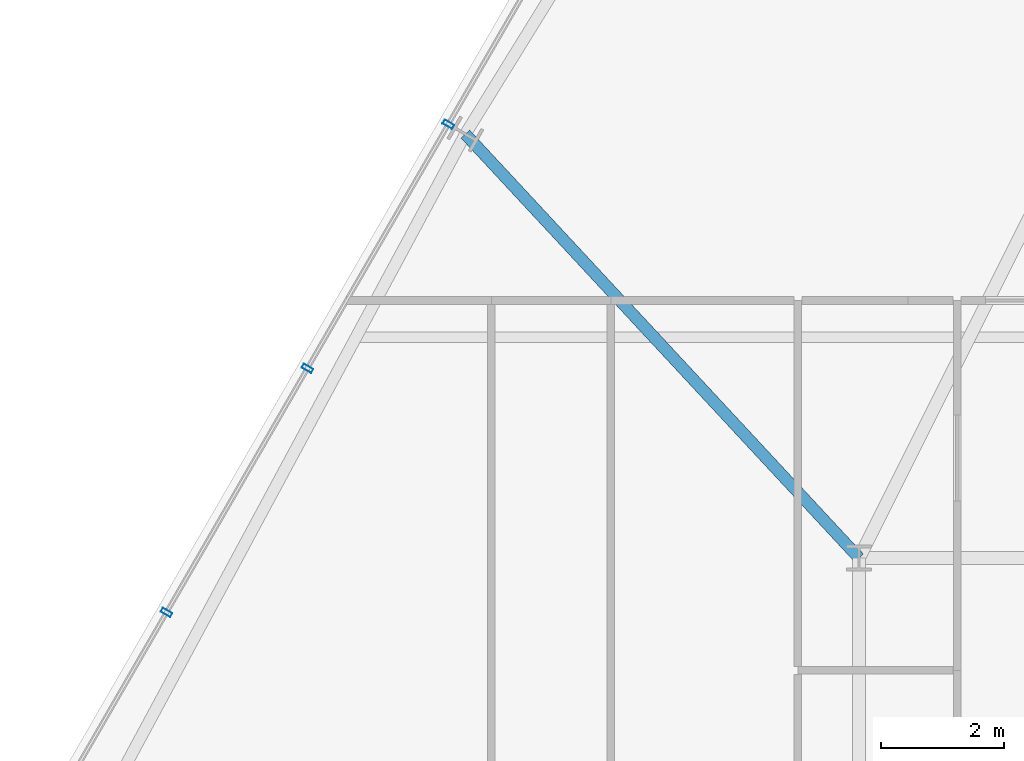
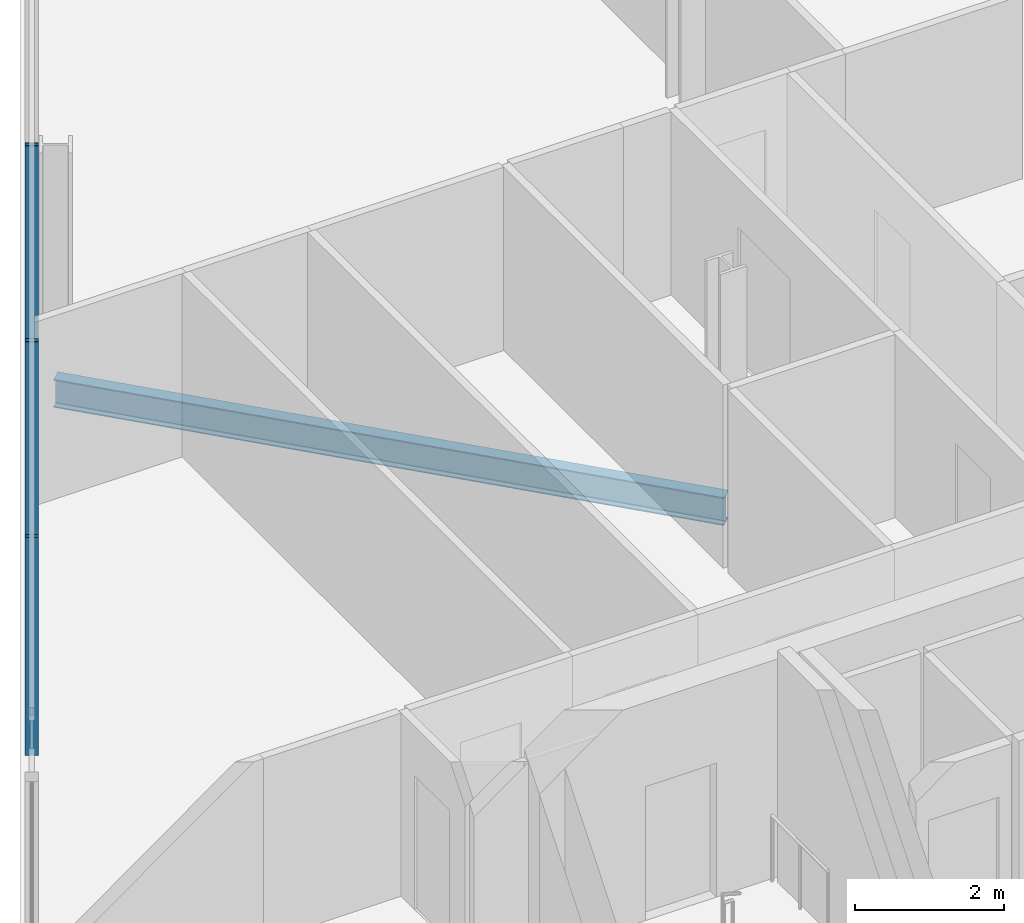
# One storey, part 11 of 33: 3 members, 1 beam, 1 element without a shape of its own.
"""IFC4 building model written with IfcOpenShell, lengths in metres."""

from ifc_helpers import new_model, si_unit, direction, frame, origin, origin_2d, place, context, subcontext, project, spatial, hollow_rectangle, i_section, extrude, material, layer, layer_set, material_profile, profile_set, type_object, element, aggregate, save


model = new_model("IFC4")

# Units and contexts
model_context = context("Model", 3, precision=1e-05, world=origin(), true_north=direction((0.0, 1.0)))
body_context = subcontext(model_context, "Body", "Model", "MODEL_VIEW")
ifc_project = project(units=[si_unit("LENGTHUNIT", "METRE"), si_unit("AREAUNIT", "SQUARE_METRE"), si_unit("VOLUMEUNIT", "CUBIC_METRE"), si_unit("PLANEANGLEUNIT", "RADIAN"), si_unit("MASSUNIT", "GRAM", prefix="KILO")], contexts=[model_context])

# Site, building, storey
site_placement = place(None, origin())
site = spatial("IfcSite", under=ifc_project, at=site_placement, CompositionType="ELEMENT")
building_placement = place(site_placement, origin())
building = spatial("IfcBuilding", under=site, at=building_placement, Name="Ndaravel Arena Tower", CompositionType="ELEMENT")
storey_placement = place(building_placement, frame((0.0, 0.0, 165.0)))
storey = spatial("IfcBuildingStorey", under=building, at=storey_placement, Name="L39", CompositionType="ELEMENT", Elevation=165.0)

# Beam
ifc_material_1 = material(Name="Steel S355", Category="steel")
ifc_material_profile_1 = material_profile(ifc_material_1, i_section(OverallWidth=0.19140625, OverallDepth=0.4599609375, WebThickness=0.010009765625, FlangeThickness=0.01611328125, FilletRadius=0.01025390625, at=origin_2d()), Name="UB 457x191x82")
ifc_profile_set_1 = profile_set([ifc_material_profile_1], Name="Steel S355")
beam_type = type_object("IfcBeamType", Name="BM-GIRD-UB457", PredefinedType="BEAM", material=ifc_profile_set_1)
beam_placement = place(storey_placement, frame((27.77685546875, 30.114990234375, -0.449951171875), z_axis=(0.680564202246, -0.732688451268, 0.0), x_axis=(0.732688451268, 0.680564202246, 0.0)))
element("IfcBeam", 1, at=beam_placement, inside=storey, type_object=beam_type, Name="L39 Radial Floor Girder FG-19", PredefinedType="BEAM", context=body_context, shape_type="SweptSolid", body=[
    extrude(i_section(OverallWidth=0.19140625, OverallDepth=0.4599609375, WebThickness=0.010009765625, FlangeThickness=0.01611328125, FilletRadius=0.01025390625, at=origin_2d()), origin(), (0.0, 0.0, 1.0), 9.43798828125),
])

# Curtain wall, members
ifc_material_2 = material(Name="Aluminium", Category="aluminium")
ifc_layer = layer(ifc_material_2, 0.179931640625)
ifc_layer_set = layer_set([ifc_layer], Name="Aluminium")
curtain_wall_type = type_object("IfcCurtainWallType", Name="CW-SYS-03", PredefinedType="NOTDEFINED", material=ifc_layer_set)
curtain_wall_placement = place(storey_placement, origin())
curtain_wall = element("IfcCurtainWall", 2, at=curtain_wall_placement, inside=storey, type_object=curtain_wall_type, Name="L39 Faceted Crystal Curtain Wall CW-L39-E05", PredefinedType="NOTDEFINED")
ifc_material_3 = material(Name="Aluminium", Category="aluminium")
ifc_material_profile_2 = material_profile(ifc_material_3, hollow_rectangle(XDim=0.074951171875, YDim=0.179931640625, WallThickness=0.00390625, at=origin_2d()), Name="CW MULLION 75x180x4")
ifc_profile_set_2 = profile_set([ifc_material_profile_2], Name="Aluminium")
member_type = type_object("IfcMemberType", Name="MEM-CW-MUL180", PredefinedType="MULLION", material=ifc_profile_set_2)
member_1_placement = place(storey_placement, frame((27.499755859375, 30.275146484375, 0.0), z_axis=(0.0, 0.0, 1.0), x_axis=(-0.5, -0.866025403784, 0.0)))
member_1 = element("IfcMember", 3, at=member_1_placement, type_object=member_type, Name="CW-L39-E05 Mullion 04", PredefinedType="MULLION", context=body_context, shape_type="SweptSolid", body=[
    extrude(hollow_rectangle(XDim=0.074951171875, YDim=0.179931640625, WallThickness=0.00390625, at=origin_2d()), origin(), (0.0, 0.0, 1.0), 3.580078125),
])
member_2_placement = place(storey_placement, frame((25.200927734375, 26.29345703125, 0.0), z_axis=(0.0, 0.0, 1.0), x_axis=(-0.5, -0.866025403784, 0.0)))
member_2 = element("IfcMember", 4, at=member_2_placement, type_object=member_type, Name="CW-L39-E05 Mullion 05", PredefinedType="MULLION", context=body_context, shape_type="SweptSolid", body=[
    extrude(hollow_rectangle(XDim=0.074951171875, YDim=0.179931640625, WallThickness=0.00390625, at=origin_2d()), origin(), (0.0, 0.0, 1.0), 3.580078125),
])
member_3_placement = place(storey_placement, frame((22.902099609375, 22.311767578125, 0.0), z_axis=(0.0, 0.0, 1.0), x_axis=(-0.5, -0.866025403784, 0.0)))
member_3 = element("IfcMember", 5, at=member_3_placement, type_object=member_type, Name="CW-L39-E05 Mullion 06", PredefinedType="MULLION", context=body_context, shape_type="SweptSolid", body=[
    extrude(hollow_rectangle(XDim=0.074951171875, YDim=0.179931640625, WallThickness=0.00390625, at=origin_2d()), origin(), (0.0, 0.0, 1.0), 3.580078125),
])
aggregate(curtain_wall, [member_1, member_2, member_3])

save(model, "model.ifc")
